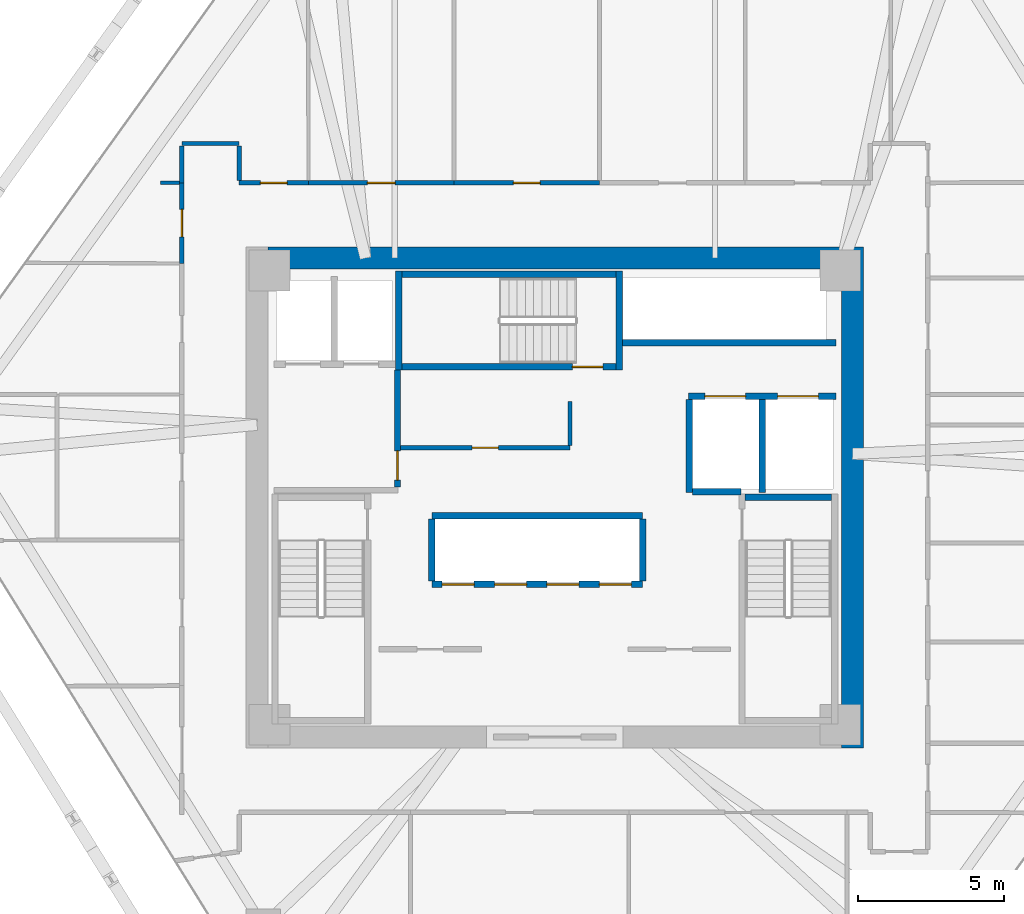
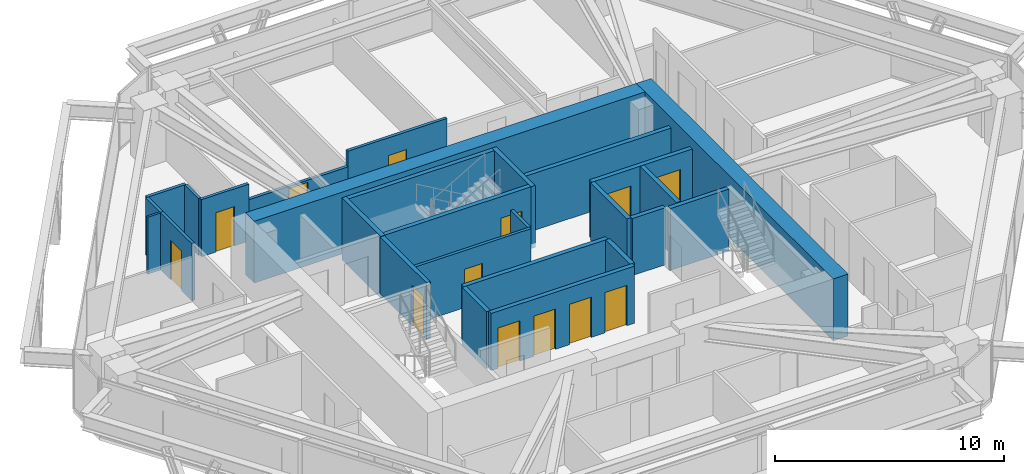
# One storey, part 11 of 14: 27 walls, 13 doors, 13 openings.
"""IFC4 building model written with IfcOpenShell, lengths in metres."""

from ifc_helpers import new_model, si_unit, direction, frame, frame_2d, origin, place, context, subcontext, project, spatial, rectangle, extrude, source, transform, mapped, material, layer, layer_set, type_object, type_shapes, element, fill, save


model = new_model("IFC4")

# Units and contexts
model_context = context("Model", 3, precision=1e-05, world=origin(), true_north=direction((0.0, 1.0)))
body_context = subcontext(model_context, "Body", "Model", "MODEL_VIEW")
ifc_project = project(units=[si_unit("LENGTHUNIT", "METRE"), si_unit("AREAUNIT", "SQUARE_METRE"), si_unit("VOLUMEUNIT", "CUBIC_METRE"), si_unit("PLANEANGLEUNIT", "RADIAN"), si_unit("MASSUNIT", "GRAM", prefix="KILO")], contexts=[model_context])

# Site, building, storey
site_placement = place(None, origin())
site = spatial("IfcSite", under=ifc_project, at=site_placement, CompositionType="ELEMENT")
building_placement = place(site_placement, origin())
building = spatial("IfcBuilding", under=site, at=building_placement, Name="Durnholm Broadcast Tower", CompositionType="ELEMENT")
storey_placement = place(building_placement, frame((0.0, 0.0, 127.199951171875)))
storey = spatial("IfcBuildingStorey", under=building, at=storey_placement, Name="L34", CompositionType="ELEMENT", Elevation=127.199951171875)

# Walls
ifc_material_1 = material(Name="Concrete C70/85", Category="concrete")
ifc_layer_1 = layer(ifc_material_1, 0.75)
ifc_layer_set_1 = layer_set([ifc_layer_1], Name="Concrete C70/85")
wall_type_1 = type_object("IfcWallType", Name="WALL-CW-750", PredefinedType="SHEAR", material=ifc_layer_set_1)
wall_1_placement = place(storey_placement, frame((10.22509765625, -8.60009765625, 0.0), z_axis=(0.0, 0.0, 1.0), x_axis=(0.0, 1.0, 0.0)))
element("IfcWall", 1, at=wall_1_placement, inside=storey, type_object=wall_type_1, Name="L34 central core shear wall CW-EAST", PredefinedType="SHEAR", context=body_context, shape_type="SweptSolid", body=[
    extrude(rectangle(XDim=17.2001953125, YDim=0.75, at=frame_2d((8.60009765625, 0.0))), origin(), (0.0, 0.0, 1.0), 3.300048828125),
])
wall_2_placement = place(storey_placement, frame((-9.85009765625, 8.22509765625, 0.0), z_axis=(0.0, 0.0, 1.0), x_axis=(1.0, 0.0, 0.0)))
element("IfcWall", 2, at=wall_2_placement, inside=storey, type_object=wall_type_1, Name="L34 central core shear wall CW-N", PredefinedType="SHEAR", context=body_context, shape_type="SweptSolid", body=[
    extrude(rectangle(XDim=19.7001953125, YDim=0.75, at=frame_2d((9.85009765625, 0.0))), origin(), (0.0, 0.0, 1.0), 3.300048828125),
])

# Wall, opening, door
ifc_material_2 = material(Name="Fire-Rated Gypsum Shaftwall", Category="concrete")
ifc_layer_2 = layer(ifc_material_2, 0.199951171875)
ifc_layer_set_2 = layer_set([ifc_layer_2], Name="Fire-Rated Gypsum Shaftwall")
wall_type_2 = type_object("IfcWallType", Name="WALL-LOB-200", PredefinedType="SOLIDWALL", material=ifc_layer_set_2)
wall_3_placement = place(storey_placement, frame((-5.39990234375, 0.35400390625, 0.0), z_axis=(0.0, 0.0, 1.0), x_axis=(0.0, 1.0, 0.0)))
wall_3 = element("IfcWall", 3, at=wall_3_placement, inside=storey, type_object=wall_type_2, Name="L34 Fire Service Access Elevator lobby east fire wall", PredefinedType="SOLIDWALL", context=body_context, shape_type="SweptSolid", body=[
    extrude(rectangle(XDim=4.02587890625, YDim=0.199951171875, at=frame_2d((2.012939453125, 0.0))), origin(), (0.0, 0.0, 1.0), 3.045166015625),
])
opening_1_placement = place(wall_3_placement, frame((0.24609375, 0.0, 0.0)))
opening_1 = element("IfcOpeningElement", 4, at=opening_1_placement, cuts=wall_3, Name="Opening DL-60L", PredefinedType="OPENING", context=body_context, shape_type="SweptSolid", body=[
    extrude(rectangle(XDim=1.0, YDim=2.14990234375, at=frame_2d((0.5, 1.074951171875))), frame((0.0, 0.10986328125, 0.0), z_axis=(0.0, -1.0, 0.0), x_axis=(1.0, 0.0, 0.0)), (0.0, 0.0, 1.0), 0.219970703125),
])
ifc_material_3 = material(Name="Fire-Rated Timber/Steel Door", Category="steel")
ifc_layer_3 = layer(ifc_material_3, 0.050048828125)
ifc_layer_set_3 = layer_set([ifc_layer_3], Name="Fire-Rated Timber/Steel Door")
door_type_1 = type_object("IfcDoorType", Name="DOOR-LOB-FD60-L", OperationType="NOTDEFINED", PredefinedType="DOOR", material=ifc_layer_set_3)
shared_shape_1 = source(origin(), body_context, "Body", "SweptSolid", [
    extrude(rectangle(XDim=1.0, YDim=2.14990234375, at=frame_2d((0.5, 1.074951171875))), frame((0.0, 0.02490234375, 0.0), z_axis=(0.0, -1.0, 0.0), x_axis=(1.0, 0.0, 0.0)), (0.0, 0.0, 1.0), 0.050048828125),
])
type_shapes(door_type_1, [shared_shape_1])
door_1_placement = place(opening_1_placement, origin())
door_1 = element("IfcDoor", 5, at=door_1_placement, inside=storey, type_object=door_type_1, Name="L34 Fire Service Access Elevator lobby smoke door", OperationType="SINGLE_SWING_LEFT", OverallHeight=2.14990234375, OverallWidth=1.0, PredefinedType="DOOR", context=body_context, shape_type="MappedRepresentation", body=[
    mapped(shared_shape_1, transform((0.0, 0.0, 0.0), x_axis=(1.0, 0.0, 0.0), y_axis=(0.0, 1.0, 0.0), z_axis=(0.0, 0.0, 1.0), scale=1.0)),
])
fill(opening_1, door_1)

# Wall
ifc_material_4 = material(Name="Operable Acoustic Panel Partition", Category="aluminium")
ifc_layer_4 = layer(ifc_material_4, 0.110107421875)
ifc_layer_set_4 = layer_set([ifc_layer_4], Name="Operable Acoustic Panel Partition")
wall_type_3 = type_object("IfcWallType", Name="WALL-MOV-110", PredefinedType="MOVABLE", material=ifc_layer_set_4)
wall_4_placement = place(storey_placement, frame((-12.888916015625, 10.81005859375, 0.0), z_axis=(0.0, 0.0, 1.0), x_axis=(-1.0, 0.0, 0.0)))
element("IfcWall", 6, at=wall_4_placement, inside=storey, type_object=wall_type_3, Name="L34 room dividing partition 7.22", PredefinedType="MOVABLE", context=body_context, shape_type="SweptSolid", body=[
    extrude(rectangle(XDim=0.651123046875, YDim=0.110107421875, at=frame_2d((0.32568359375, 0.0))), origin(), (0.0, 0.0, 1.0), 3.045166015625),
])

# Wall, opening, door
ifc_material_5 = material(Name="Acoustic Gypsum Stud Partition", Category="concrete")
ifc_layer_5 = layer(ifc_material_5, 0.14990234375)
ifc_layer_set_5 = layer_set([ifc_layer_5], Name="Acoustic Gypsum Stud Partition")
wall_type_4 = type_object("IfcWallType", Name="WALL-PART-150", PredefinedType="PARTITIONING", material=ifc_layer_set_5)
wall_5_placement = place(storey_placement, frame((0.52001953125, 1.7099609375, 0.0), z_axis=(0.0, 0.0, 1.0), x_axis=(-1.0, 0.0, 0.0)))
wall_5 = element("IfcWall", 7, at=wall_5_placement, inside=storey, type_object=wall_type_4, Name="L34 Core Housekeeping Room corridor partition", PredefinedType="PARTITIONING", context=body_context, shape_type="SweptSolid", body=[
    extrude(rectangle(XDim=5.81591796875, YDim=0.14990234375, at=frame_2d((2.907958984375, 0.0))), origin(), (0.0, 0.0, 1.0), 3.045166015625),
])
opening_2_placement = place(wall_5_placement, frame((2.4580078125, 0.0, 0.0)))
opening_2 = element("IfcOpeningElement", 8, at=opening_2_placement, cuts=wall_5, Name="Opening DC-60R", PredefinedType="OPENING", context=body_context, shape_type="SweptSolid", body=[
    extrude(rectangle(XDim=0.89990234375, YDim=2.050048828125, at=frame_2d((0.449951171875, 1.02490234375))), frame((0.0, 0.0849609375, 0.0), z_axis=(0.0, -1.0, 0.0), x_axis=(1.0, 0.0, 0.0)), (0.0, 0.0, 1.0), 0.169921875),
])
ifc_material_6 = material(Name="Fire-Rated Core Service Door", Category="steel")
ifc_layer_6 = layer(ifc_material_6, 0.050048828125)
ifc_layer_set_6 = layer_set([ifc_layer_6], Name="Fire-Rated Core Service Door")
door_type_2 = type_object("IfcDoorType", Name="DOOR-CORE-FD60-R", OperationType="NOTDEFINED", PredefinedType="DOOR", material=ifc_layer_set_6)
shared_shape_2 = source(origin(), body_context, "Body", "SweptSolid", [
    extrude(rectangle(XDim=0.89990234375, YDim=2.050048828125, at=frame_2d((0.449951171875, 1.02490234375))), frame((0.0, 0.02490234375, 0.0), z_axis=(0.0, -1.0, 0.0), x_axis=(1.0, 0.0, 0.0)), (0.0, 0.0, 1.0), 0.050048828125),
])
type_shapes(door_type_2, [shared_shape_2])
door_2_placement = place(opening_2_placement, origin())
door_2 = element("IfcDoor", 9, at=door_2_placement, inside=storey, type_object=door_type_2, Name="L34 Core Housekeeping Room entrance door", OperationType="SINGLE_SWING_RIGHT", OverallHeight=2.050048828125, OverallWidth=0.89990234375, PredefinedType="DOOR", context=body_context, shape_type="MappedRepresentation", body=[
    mapped(shared_shape_2, transform((0.0, 0.0, 0.0), x_axis=(1.0, 0.0, 0.0), y_axis=(0.0, 1.0, 0.0), z_axis=(0.0, 0.0, 1.0), scale=1.0)),
])
fill(opening_2, door_2)

# Wall
wall_6_placement = place(storey_placement, frame((0.52001953125, 3.300048828125, 0.0), z_axis=(0.0, 0.0, 1.0), x_axis=(0.0, -1.0, 0.0)))
element("IfcWall", 10, at=wall_6_placement, inside=storey, type_object=wall_type_4, Name="L34 Core Housekeeping Room corridor partition", PredefinedType="PARTITIONING", context=body_context, shape_type="SweptSolid", body=[
    extrude(rectangle(XDim=1.510986328125, YDim=0.14990234375, at=frame_2d((0.75537109375, 0.0))), origin(), (0.0, 0.0, 1.0), 3.045166015625),
])

# Wall, opening, door
wall_7_placement = place(storey_placement, frame((-8.4599609375, 10.81005859375, 0.0), z_axis=(0.0, 0.0, 1.0), x_axis=(-1.0, 0.0, 0.0)))
wall_7 = element("IfcWall", 11, at=wall_7_placement, inside=storey, type_object=wall_type_4, Name="L34 Radio Broadcast Hall corridor partition", PredefinedType="PARTITIONING", context=body_context, shape_type="SweptSolid", body=[
    extrude(rectangle(XDim=2.380126953125, YDim=0.14990234375, at=frame_2d((1.18994140625, 0.0))), origin(), (0.0, 0.0, 1.0), 3.045166015625),
])
opening_3_placement = place(wall_7_placement, frame((0.72998046875, 0.0, 0.0)))
opening_3 = element("IfcOpeningElement", 12, at=opening_3_placement, cuts=wall_7, Name="Opening DR-92R", PredefinedType="OPENING", context=body_context, shape_type="SweptSolid", body=[
    extrude(rectangle(XDim=0.919921875, YDim=2.10009765625, at=frame_2d((0.4599609375, 1.050048828125))), frame((0.0, 0.0849609375, 0.0), z_axis=(0.0, -1.0, 0.0), x_axis=(1.0, 0.0, 0.0)), (0.0, 0.0, 1.0), 0.169921875),
])
ifc_material_7 = material(Name="Oak Veneer Office Door", Category="wood")
ifc_layer_7 = layer(ifc_material_7, 0.050048828125)
ifc_layer_set_7 = layer_set([ifc_layer_7], Name="Oak Veneer Office Door")
door_type_3 = type_object("IfcDoorType", Name="DOOR-RM-920R", OperationType="NOTDEFINED", PredefinedType="DOOR", material=ifc_layer_set_7)
shared_shape_3 = source(origin(), body_context, "Body", "SweptSolid", [
    extrude(rectangle(XDim=0.919921875, YDim=2.10009765625, at=frame_2d((0.4599609375, 1.050048828125))), frame((0.0, 0.02490234375, 0.0), z_axis=(0.0, -1.0, 0.0), x_axis=(1.0, 0.0, 0.0)), (0.0, 0.0, 1.0), 0.050048828125),
])
type_shapes(door_type_3, [shared_shape_3])
door_3_placement = place(opening_3_placement, origin())
door_3 = element("IfcDoor", 13, at=door_3_placement, inside=storey, type_object=door_type_3, Name="L34 Radio Broadcast Hall entrance door", OperationType="SINGLE_SWING_RIGHT", OverallHeight=2.10009765625, OverallWidth=0.919921875, PredefinedType="DOOR", context=body_context, shape_type="MappedRepresentation", body=[
    mapped(shared_shape_3, transform((0.0, 0.0, 0.0), x_axis=(1.0, 0.0, 0.0), y_axis=(0.0, 1.0, 0.0), z_axis=(0.0, 0.0, 1.0), scale=1.0)),
])
fill(opening_3, door_3)

# Walls
wall_8_placement = place(storey_placement, frame((-10.840087890625, 12.159912109375, 0.0), z_axis=(0.0, 0.0, 1.0), x_axis=(-1.0, 0.0, 0.0)))
element("IfcWall", 14, at=wall_8_placement, inside=storey, type_object=wall_type_4, Name="L34 Radio Broadcast Hall corridor partition", PredefinedType="PARTITIONING", context=body_context, shape_type="SweptSolid", body=[
    extrude(rectangle(XDim=1.969970703125, YDim=0.14990234375, at=frame_2d((0.98486328125, 0.0))), origin(), (0.0, 0.0, 1.0), 3.045166015625),
])
wall_9_placement = place(storey_placement, frame((-10.840087890625, 10.888916015625, 0.0), z_axis=(0.0, 0.0, 1.0), x_axis=(0.0, 1.0, 0.0)))
element("IfcWall", 15, at=wall_9_placement, inside=storey, type_object=wall_type_4, Name="L34 Radio Broadcast Hall corridor partition", PredefinedType="PARTITIONING", context=body_context, shape_type="SweptSolid", body=[
    extrude(rectangle(XDim=1.192138671875, YDim=0.14990234375, at=frame_2d((0.59619140625, 0.0))), origin(), (0.0, 0.0, 1.0), 3.045166015625),
])
wall_10_placement = place(storey_placement, frame((-12.81005859375, 12.0810546875, 0.0), z_axis=(0.0, 0.0, 1.0), x_axis=(0.0, -1.0, 0.0)))
element("IfcWall", 16, at=wall_10_placement, inside=storey, type_object=wall_type_4, Name="L34 Radio Broadcast Hall corridor partition", PredefinedType="PARTITIONING", context=body_context, shape_type="SweptSolid", body=[
    extrude(rectangle(XDim=1.27099609375, YDim=0.14990234375, at=frame_2d((0.635498046875, 0.0))), origin(), (0.0, 0.0, 1.0), 3.045166015625),
])

# Wall, opening, door
wall_11_placement = place(storey_placement, frame((-3.4599609375, 10.81005859375, 0.0), z_axis=(0.0, 0.0, 1.0), x_axis=(-1.0, 0.0, 0.0)))
wall_11 = element("IfcWall", 17, at=wall_11_placement, inside=storey, type_object=wall_type_4, Name="L34 Mastering Screening Auditorium corridor partition", PredefinedType="PARTITIONING", context=body_context, shape_type="SweptSolid", body=[
    extrude(rectangle(XDim=5.0, YDim=0.14990234375, at=frame_2d((2.5, 0.0))), origin(), (0.0, 0.0, 1.0), 2.212158203125),
])
opening_4_placement = place(wall_11_placement, frame((2.02490234375, 0.0, 0.0)))
opening_4 = element("IfcOpeningElement", 18, at=opening_4_placement, cuts=wall_11, Name="Opening DR-95L", PredefinedType="OPENING", context=body_context, shape_type="SweptSolid", body=[
    extrude(rectangle(XDim=0.949951171875, YDim=2.10009765625, at=frame_2d((0.47509765625, 1.050048828125))), frame((0.0, 0.0849609375, 0.0), z_axis=(0.0, -1.0, 0.0), x_axis=(1.0, 0.0, 0.0)), (0.0, 0.0, 1.0), 0.169921875),
])
ifc_material_8 = material(Name="Acoustic Oak Veneer Timber Door", Category="wood")
ifc_layer_8 = layer(ifc_material_8, 0.050048828125)
ifc_layer_set_8 = layer_set([ifc_layer_8], Name="Acoustic Oak Veneer Timber Door")
door_type_4 = type_object("IfcDoorType", Name="DOOR-RM-950L", OperationType="NOTDEFINED", PredefinedType="DOOR", material=ifc_layer_set_8)
shared_shape_4 = source(origin(), body_context, "Body", "SweptSolid", [
    extrude(rectangle(XDim=0.949951171875, YDim=2.10009765625, at=frame_2d((0.47509765625, 1.050048828125))), frame((0.0, 0.02490234375, 0.0), z_axis=(0.0, -1.0, 0.0), x_axis=(1.0, 0.0, 0.0)), (0.0, 0.0, 1.0), 0.050048828125),
])
type_shapes(door_type_4, [shared_shape_4])
door_4_placement = place(opening_4_placement, origin())
door_4 = element("IfcDoor", 19, at=door_4_placement, inside=storey, type_object=door_type_4, Name="L34 Mastering Screening Auditorium entrance door", OperationType="SINGLE_SWING_LEFT", OverallHeight=2.10009765625, OverallWidth=0.949951171875, PredefinedType="DOOR", context=body_context, shape_type="MappedRepresentation", body=[
    mapped(shared_shape_4, transform((0.0, 0.0, 0.0), x_axis=(1.0, 0.0, 0.0), y_axis=(0.0, 1.0, 0.0), z_axis=(0.0, 0.0, 1.0), scale=1.0)),
])
fill(opening_4, door_4)

wall_12_placement = place(storey_placement, frame((1.5400390625, 10.81005859375, 0.0), z_axis=(0.0, 0.0, 1.0), x_axis=(-1.0, 0.0, 0.0)))
wall_12 = element("IfcWall", 20, at=wall_12_placement, inside=storey, type_object=wall_type_4, Name="L34 Podcast Dining Room corridor partition", PredefinedType="PARTITIONING", context=body_context, shape_type="SweptSolid", body=[
    extrude(rectangle(XDim=5.0, YDim=0.14990234375, at=frame_2d((2.5, 0.0))), origin(), (0.0, 0.0, 1.0), 3.045166015625),
])
opening_5_placement = place(wall_12_placement, frame((2.0400390625, 0.0, 0.0)))
opening_5 = element("IfcOpeningElement", 21, at=opening_5_placement, cuts=wall_12, Name="Opening DR-92R", PredefinedType="OPENING", context=body_context, shape_type="SweptSolid", body=[
    extrude(rectangle(XDim=0.919921875, YDim=2.10009765625, at=frame_2d((0.4599609375, 1.050048828125))), frame((0.0, 0.0849609375, 0.0), z_axis=(0.0, -1.0, 0.0), x_axis=(1.0, 0.0, 0.0)), (0.0, 0.0, 1.0), 0.169921875),
])
door_5_placement = place(opening_5_placement, origin())
door_5 = element("IfcDoor", 22, at=door_5_placement, inside=storey, type_object=door_type_3, Name="L34 Podcast Dining Room entrance door", OperationType="SINGLE_SWING_RIGHT", OverallHeight=2.10009765625, OverallWidth=0.919921875, PredefinedType="DOOR", context=body_context, shape_type="MappedRepresentation", body=[
    mapped(shared_shape_3, transform((0.0, 0.0, 0.0), x_axis=(1.0, 0.0, 0.0), y_axis=(0.0, 1.0, 0.0), z_axis=(0.0, 0.0, 1.0), scale=1.0)),
])
fill(opening_5, door_5)

wall_13_placement = place(storey_placement, frame((-12.81005859375, 10.81005859375, 0.0), z_axis=(0.0, 0.0, 1.0), x_axis=(0.0, -1.0, 0.0)))
wall_13 = element("IfcWall", 23, at=wall_13_placement, inside=storey, type_object=wall_type_4, Name="L34 Broadcast Kitchen corridor partition", PredefinedType="PARTITIONING", context=body_context, shape_type="SweptSolid", body=[
    extrude(rectangle(XDim=2.77001953125, YDim=0.14990234375, at=frame_2d((1.385009765625, 0.0))), origin(), (0.0, 0.0, 1.0), 3.045166015625),
])
opening_6_placement = place(wall_13_placement, frame((0.909912109375, 0.0, 0.0)))
opening_6 = element("IfcOpeningElement", 24, at=opening_6_placement, cuts=wall_13, Name="Opening DR-95R", PredefinedType="OPENING", context=body_context, shape_type="SweptSolid", body=[
    extrude(rectangle(XDim=0.949951171875, YDim=2.10009765625, at=frame_2d((0.47509765625, 1.050048828125))), frame((0.0, 0.0849609375, 0.0), z_axis=(0.0, -1.0, 0.0), x_axis=(1.0, 0.0, 0.0)), (0.0, 0.0, 1.0), 0.169921875),
])
ifc_layer_9 = layer(ifc_material_8, 0.050048828125)
ifc_layer_set_9 = layer_set([ifc_layer_9], Name="Acoustic Oak Veneer Timber Door")
door_type_5 = type_object("IfcDoorType", Name="DOOR-RM-950R", OperationType="NOTDEFINED", PredefinedType="DOOR", material=ifc_layer_set_9)
shared_shape_5 = source(origin(), body_context, "Body", "SweptSolid", [
    extrude(rectangle(XDim=0.949951171875, YDim=2.10009765625, at=frame_2d((0.47509765625, 1.050048828125))), frame((0.0, 0.02490234375, 0.0), z_axis=(0.0, -1.0, 0.0), x_axis=(1.0, 0.0, 0.0)), (0.0, 0.0, 1.0), 0.050048828125),
])
type_shapes(door_type_5, [shared_shape_5])
door_6_placement = place(opening_6_placement, origin())
door_6 = element("IfcDoor", 25, at=door_6_placement, inside=storey, type_object=door_type_5, Name="L34 Broadcast Kitchen entrance door", OperationType="SINGLE_SWING_RIGHT", OverallHeight=2.10009765625, OverallWidth=0.949951171875, PredefinedType="DOOR", context=body_context, shape_type="MappedRepresentation", body=[
    mapped(shared_shape_5, transform((0.0, 0.0, 0.0), x_axis=(1.0, 0.0, 0.0), y_axis=(0.0, 1.0, 0.0), z_axis=(0.0, 0.0, 1.0), scale=1.0)),
])
fill(opening_6, door_6)

# Wall, openings, doors
ifc_material_9 = material(Name="Concrete Blockwork C30/37", Category="masonry")
ifc_layer_10 = layer(ifc_material_9, 0.219970703125)
ifc_layer_set_10 = layer_set([ifc_layer_10], Name="Concrete Blockwork C30/37")
wall_type_5 = type_object("IfcWallType", Name="WALL-SHAFT-220", PredefinedType="SOLIDWALL", material=ifc_layer_set_10)
wall_14_placement = place(storey_placement, frame((4.60009765625, 3.47998046875, 0.0), z_axis=(0.0, 0.0, 1.0), x_axis=(1.0, 0.0, 0.0)))
wall_14 = element("IfcWall", 26, at=wall_14_placement, inside=storey, type_object=wall_type_5, Name="L34 freight service lifts north front wall", PredefinedType="SOLIDWALL", context=body_context, shape_type="SweptSolid", body=[
    extrude(rectangle(XDim=5.0498046875, YDim=0.219970703125, at=frame_2d((2.52490234375, 0.0))), origin(), (0.0, 0.0, 1.0), 3.045166015625),
])
opening_7_placement = place(wall_14_placement, frame((0.550048828125, 0.0, 0.0)))
opening_7 = element("IfcOpeningElement", 27, at=opening_7_placement, cuts=wall_14, Name="Opening LD-SVL-2", PredefinedType="OPENING", context=body_context, shape_type="SweptSolid", body=[
    extrude(rectangle(XDim=1.39990234375, YDim=2.14990234375, at=frame_2d((0.699951171875, 1.074951171875))), frame((0.0, 0.1201171875, 0.0), z_axis=(0.0, -1.0, 0.0), x_axis=(1.0, 0.0, 0.0)), (0.0, 0.0, 1.0), 0.239990234375),
])
opening_8_placement = place(wall_14_placement, frame((3.050048828125, 0.0, 0.0)))
opening_8 = element("IfcOpeningElement", 28, at=opening_8_placement, cuts=wall_14, Name="Opening LD-SVL-1", PredefinedType="OPENING", context=body_context, shape_type="SweptSolid", body=[
    extrude(rectangle(XDim=1.39990234375, YDim=2.14990234375, at=frame_2d((0.699951171875, 1.074951171875))), frame((0.0, 0.1201171875, 0.0), z_axis=(0.0, -1.0, 0.0), x_axis=(1.0, 0.0, 0.0)), (0.0, 0.0, 1.0), 0.239990234375),
])
ifc_material_10 = material(Name="Freight Elevator Bi-Parting Sliding Landing Door", Category="steel")
ifc_layer_11 = layer(ifc_material_10, 0.050048828125)
ifc_layer_set_11 = layer_set([ifc_layer_11], Name="Freight Elevator Bi-Parting Sliding Landing Door")
door_type_6 = type_object("IfcDoorType", Name="DOOR-LIFT-SVL", OperationType="DOUBLE_DOOR_SLIDING", PredefinedType="DOOR", material=ifc_layer_set_11)
shared_shape_6 = source(origin(), body_context, "Body", "SweptSolid", [
    extrude(rectangle(XDim=1.39990234375, YDim=2.14990234375, at=frame_2d((0.699951171875, 1.074951171875))), frame((0.0, 0.02490234375, 0.0), z_axis=(0.0, -1.0, 0.0), x_axis=(1.0, 0.0, 0.0)), (0.0, 0.0, 1.0), 0.050048828125),
])
type_shapes(door_type_6, [shared_shape_6])
door_7_placement = place(opening_7_placement, origin())
door_7 = element("IfcDoor", 29, at=door_7_placement, inside=storey, type_object=door_type_6, Name="L34 freight service elevator SVL-2 sliding landing door", OperationType="DOUBLE_DOOR_SLIDING", OverallHeight=2.14990234375, OverallWidth=1.39990234375, PredefinedType="DOOR", context=body_context, shape_type="MappedRepresentation", body=[
    mapped(shared_shape_6, transform((0.0, 0.0, 0.0), x_axis=(1.0, 0.0, 0.0), y_axis=(0.0, 1.0, 0.0), z_axis=(0.0, 0.0, 1.0), scale=1.0)),
])
fill(opening_7, door_7)
door_8_placement = place(opening_8_placement, origin())
door_8 = element("IfcDoor", 30, at=door_8_placement, inside=storey, type_object=door_type_6, Name="L34 freight service elevator SVL-1 sliding landing door", OperationType="DOUBLE_DOOR_SLIDING", OverallHeight=2.14990234375, OverallWidth=1.39990234375, PredefinedType="DOOR", context=body_context, shape_type="MappedRepresentation", body=[
    mapped(shared_shape_6, transform((0.0, 0.0, 0.0), x_axis=(1.0, 0.0, 0.0), y_axis=(0.0, 1.0, 0.0), z_axis=(0.0, 0.0, 1.0), scale=1.0)),
])
fill(opening_8, door_8)

# Walls
for number, where, z_axis, x_axis, name in (
    (31, (4.6201171875, 0.179931640625, 0.0), (0.0, 0.0, 1.0), (0.0, 1.0, 0.0), "L34 freight service lift SVL-2 west wall"),
    (32, (7.1201171875, 0.179931640625, 0.0), (0.0, 0.0, 1.0), (0.0, 1.0, 0.0), "L34 freight service lifts divider wall"),
):
    element("IfcWall", number, at=place(storey_placement, frame(where, z_axis=z_axis, x_axis=x_axis)), inside=storey, type_object=wall_type_5, Name=name, PredefinedType="SOLIDWALL", context=body_context, shape_type="SweptSolid", body=[
        extrude(rectangle(XDim=3.18603515625, YDim=0.219970703125, at=frame_2d((1.593017578125, 0.0))), origin(), (0.0, 0.0, 1.0), 3.045166015625),
    ])
wall_15_placement = place(storey_placement, frame((4.73388671875, 0.199951171875, 0.0), z_axis=(0.0, 0.0, 1.0), x_axis=(1.0, 0.0, 0.0)))
element("IfcWall", 33, at=wall_15_placement, inside=storey, type_object=wall_type_5, Name="L34 freight service lift SVL-2 south wall", PredefinedType="SOLIDWALL", context=body_context, shape_type="SweptSolid", body=[
    extrude(rectangle(XDim=1.666015625, YDim=0.219970703125, at=frame_2d((0.8330078125, 0.0))), origin(), (0.0, 0.0, 1.0), 3.045166015625),
])

# Wall, openings, doors
wall_16_placement = place(storey_placement, frame((-4.219970703125, -2.97998046875, 0.0), z_axis=(0.0, 0.0, 1.0), x_axis=(1.0, 0.0, 0.0)))
wall_16 = element("IfcWall", 34, at=wall_16_placement, inside=storey, type_object=wall_type_5, Name="L34 mid-rise bank P2 south front wall", PredefinedType="SOLIDWALL", context=body_context, shape_type="SweptSolid", body=[
    extrude(rectangle(XDim=7.239990234375, YDim=0.219970703125, at=frame_2d((3.6201171875, 0.0))), origin(), (0.0, 0.0, 1.0), 3.045166015625),
])
opening_9_placement = place(wall_16_placement, frame((0.35009765625, 0.0, 0.0)))
opening_9 = element("IfcOpeningElement", 35, at=opening_9_placement, cuts=wall_16, Name="Opening LD-LP2-1", PredefinedType="OPENING", context=body_context, shape_type="SweptSolid", body=[
    extrude(rectangle(XDim=1.10009765625, YDim=2.14990234375, at=frame_2d((0.550048828125, 1.074951171875))), frame((0.0, 0.1201171875, 0.0), z_axis=(0.0, -1.0, 0.0), x_axis=(1.0, 0.0, 0.0)), (0.0, 0.0, 1.0), 0.239990234375),
])
opening_10_placement = place(wall_16_placement, frame((2.14990234375, 0.0, 0.0)))
opening_10 = element("IfcOpeningElement", 36, at=opening_10_placement, cuts=wall_16, Name="Opening LD-LP2-2", PredefinedType="OPENING", context=body_context, shape_type="SweptSolid", body=[
    extrude(rectangle(XDim=1.10009765625, YDim=2.14990234375, at=frame_2d((0.550048828125, 1.074951171875))), frame((0.0, 0.1201171875, 0.0), z_axis=(0.0, -1.0, 0.0), x_axis=(1.0, 0.0, 0.0)), (0.0, 0.0, 1.0), 0.239990234375),
])
opening_11_placement = place(wall_16_placement, frame((3.949951171875, 0.0, 0.0)))
opening_11 = element("IfcOpeningElement", 37, at=opening_11_placement, cuts=wall_16, Name="Opening LD-LP2-3", PredefinedType="OPENING", context=body_context, shape_type="SweptSolid", body=[
    extrude(rectangle(XDim=1.10009765625, YDim=2.14990234375, at=frame_2d((0.550048828125, 1.074951171875))), frame((0.0, 0.1201171875, 0.0), z_axis=(0.0, -1.0, 0.0), x_axis=(1.0, 0.0, 0.0)), (0.0, 0.0, 1.0), 0.239990234375),
])
opening_12_placement = place(wall_16_placement, frame((5.75, 0.0, 0.0)))
opening_12 = element("IfcOpeningElement", 38, at=opening_12_placement, cuts=wall_16, Name="Opening LD-LP2-4", PredefinedType="OPENING", context=body_context, shape_type="SweptSolid", body=[
    extrude(rectangle(XDim=1.10009765625, YDim=2.14990234375, at=frame_2d((0.550048828125, 1.074951171875))), frame((0.0, 0.1201171875, 0.0), z_axis=(0.0, -1.0, 0.0), x_axis=(1.0, 0.0, 0.0)), (0.0, 0.0, 1.0), 0.239990234375),
])
ifc_material_11 = material(Name="Stainless Steel Sliding Elevator Landing Door", Category="steel")
ifc_layer_12 = layer(ifc_material_11, 0.050048828125)
ifc_layer_set_12 = layer_set([ifc_layer_12], Name="Stainless Steel Sliding Elevator Landing Door")
door_type_7 = type_object("IfcDoorType", Name="DOOR-LIFT-PAX", OperationType="DOUBLE_DOOR_SLIDING", PredefinedType="DOOR", material=ifc_layer_set_12)
shared_shape_7 = source(origin(), body_context, "Body", "SweptSolid", [
    extrude(rectangle(XDim=1.10009765625, YDim=2.14990234375, at=frame_2d((0.550048828125, 1.074951171875))), frame((0.0, 0.02490234375, 0.0), z_axis=(0.0, -1.0, 0.0), x_axis=(1.0, 0.0, 0.0)), (0.0, 0.0, 1.0), 0.050048828125),
])
type_shapes(door_type_7, [shared_shape_7])
door_9_placement = place(opening_9_placement, origin())
door_9 = element("IfcDoor", 39, at=door_9_placement, inside=storey, type_object=door_type_7, Name="L34 passenger elevator LP2-1 sliding landing door", OperationType="DOUBLE_DOOR_SLIDING", OverallHeight=2.14990234375, OverallWidth=1.10009765625, PredefinedType="DOOR", context=body_context, shape_type="MappedRepresentation", body=[
    mapped(shared_shape_7, transform((0.0, 0.0, 0.0), x_axis=(1.0, 0.0, 0.0), y_axis=(0.0, 1.0, 0.0), z_axis=(0.0, 0.0, 1.0), scale=1.0)),
])
fill(opening_9, door_9)
door_10_placement = place(opening_10_placement, origin())
door_10 = element("IfcDoor", 40, at=door_10_placement, inside=storey, type_object=door_type_7, Name="L34 passenger elevator LP2-2 sliding landing door", OperationType="DOUBLE_DOOR_SLIDING", OverallHeight=2.14990234375, OverallWidth=1.10009765625, PredefinedType="DOOR", context=body_context, shape_type="MappedRepresentation", body=[
    mapped(shared_shape_7, transform((0.0, 0.0, 0.0), x_axis=(1.0, 0.0, 0.0), y_axis=(0.0, 1.0, 0.0), z_axis=(0.0, 0.0, 1.0), scale=1.0)),
])
fill(opening_10, door_10)
door_11_placement = place(opening_11_placement, origin())
door_11 = element("IfcDoor", 41, at=door_11_placement, inside=storey, type_object=door_type_7, Name="L34 passenger elevator LP2-3 sliding landing door", OperationType="DOUBLE_DOOR_SLIDING", OverallHeight=2.14990234375, OverallWidth=1.10009765625, PredefinedType="DOOR", context=body_context, shape_type="MappedRepresentation", body=[
    mapped(shared_shape_7, transform((0.0, 0.0, 0.0), x_axis=(1.0, 0.0, 0.0), y_axis=(0.0, 1.0, 0.0), z_axis=(0.0, 0.0, 1.0), scale=1.0)),
])
fill(opening_11, door_11)
door_12_placement = place(opening_12_placement, origin())
door_12 = element("IfcDoor", 42, at=door_12_placement, inside=storey, type_object=door_type_7, Name="L34 passenger elevator LP2-4 sliding landing door", OperationType="DOUBLE_DOOR_SLIDING", OverallHeight=2.14990234375, OverallWidth=1.10009765625, PredefinedType="DOOR", context=body_context, shape_type="MappedRepresentation", body=[
    mapped(shared_shape_7, transform((0.0, 0.0, 0.0), x_axis=(1.0, 0.0, 0.0), y_axis=(0.0, 1.0, 0.0), z_axis=(0.0, 0.0, 1.0), scale=1.0)),
])
fill(opening_12, door_12)

# Walls
wall_17_placement = place(storey_placement, frame((-4.219970703125, -0.6201171875, 0.0), z_axis=(0.0, 0.0, 1.0), x_axis=(1.0, 0.0, 0.0)))
element("IfcWall", 43, at=wall_17_placement, inside=storey, type_object=wall_type_5, Name="L34 mid-rise bank P2 north shaft wall", PredefinedType="SOLIDWALL", context=body_context, shape_type="SweptSolid", body=[
    extrude(rectangle(XDim=7.239990234375, YDim=0.219970703125, at=frame_2d((3.6201171875, 0.0))), origin(), (0.0, 0.0, 1.0), 3.045166015625),
])
for number, where, z_axis, x_axis, name in (
    (44, (-4.219970703125, -2.865966796875, 0.0), (0.0, 0.0, 1.0), (0.0, 1.0, 0.0), "L34 mid-rise bank P2 west shaft wall"),
    (45, (3.02001953125, -2.865966796875, 0.0), (0.0, 0.0, 1.0), (0.0, 1.0, 0.0), "L34 mid-rise bank P2 east shaft wall"),
):
    element("IfcWall", number, at=place(storey_placement, frame(where, z_axis=z_axis, x_axis=x_axis)), inside=storey, type_object=wall_type_5, Name=name, PredefinedType="SOLIDWALL", context=body_context, shape_type="SweptSolid", body=[
        extrude(rectangle(XDim=2.132080078125, YDim=0.219970703125, at=frame_2d((1.06591796875, 0.0))), origin(), (0.0, 0.0, 1.0), 3.045166015625),
    ])
wall_18_placement = place(storey_placement, frame((2.324951171875, 5.320068359375, 0.0), z_axis=(0.0, 0.0, 1.0), x_axis=(1.0, 0.0, 0.0)))
element("IfcWall", 46, at=wall_18_placement, inside=storey, type_object=wall_type_5, Name="L34 high-rise bank P3 south front wall", PredefinedType="SOLIDWALL", context=body_context, shape_type="SweptSolid", body=[
    extrude(rectangle(XDim=7.324951171875, YDim=0.219970703125, at=frame_2d((3.66259765625, 0.0))), origin(), (0.0, 0.0, 1.0), 3.045166015625),
])
ifc_material_12 = material(Name="Concrete C50/60", Category="concrete")
ifc_layer_13 = layer(ifc_material_12, 0.219970703125)
ifc_layer_set_13 = layer_set([ifc_layer_13], Name="Concrete C50/60")
wall_type_6 = type_object("IfcWallType", Name="WALL-SW-220", PredefinedType="SHEAR", material=ifc_layer_set_13)
wall_19_placement = place(storey_placement, frame((9.5, 0.010009765625, -0.239990234375), z_axis=(0.0, 0.0, 1.0), x_axis=(-1.0, 0.0, 0.0)))
element("IfcWall", 47, at=wall_19_placement, inside=storey, type_object=wall_type_6, Name="L34 stair ST-2 structural shaft wall N", PredefinedType="SHEAR", context=body_context, shape_type="SweptSolid", body=[
    extrude(rectangle(XDim=2.9599609375, YDim=0.219970703125, at=frame_2d((1.47998046875, 0.0))), origin(), (0.0, 0.0, 1.0), 3.300048828125),
])
for number, where, z_axis, x_axis, name in (
    (48, (2.2099609375, 4.3798828125, -0.239990234375), (0.0, 0.0, 1.0), (0.0, 1.0, 0.0), "L34 stair ST-3 structural shaft wall E"),
    (49, (-5.360107421875, 7.780029296875, -0.239990234375), (0.0, 0.0, 1.0), (0.0, -1.0, 0.0), "L34 stair ST-3 structural shaft wall W"),
):
    element("IfcWall", number, at=place(storey_placement, frame(where, z_axis=z_axis, x_axis=x_axis)), inside=storey, type_object=wall_type_6, Name=name, PredefinedType="SHEAR", context=body_context, shape_type="SweptSolid", body=[
        extrude(rectangle(XDim=3.400146484375, YDim=0.219970703125, at=frame_2d((1.7001953125, 0.0))), origin(), (0.0, 0.0, 1.0), 3.300048828125),
    ])

# Wall, opening, door
wall_20_placement = place(storey_placement, frame((-5.25, 4.489990234375, -0.239990234375), z_axis=(0.0, 0.0, 1.0), x_axis=(1.0, 0.0, 0.0)))
wall_20 = element("IfcWall", 50, at=wall_20_placement, inside=storey, type_object=wall_type_6, Name="L34 stair ST-3 structural shaft wall S", PredefinedType="SHEAR", context=body_context, shape_type="SweptSolid", body=[
    extrude(rectangle(XDim=7.35009765625, YDim=0.219970703125, at=frame_2d((3.675048828125, 0.0))), origin(), (0.0, 0.0, 1.0), 3.300048828125),
])
opening_13_placement = place(wall_20_placement, frame((5.85009765625, 0.0, 0.0)))
opening_13 = element("IfcOpeningElement", 51, at=opening_13_placement, cuts=wall_20, Name="Opening DS-90L", PredefinedType="OPENING", context=body_context, shape_type="SweptSolid", body=[
    extrude(rectangle(XDim=1.050048828125, YDim=2.14990234375, at=frame_2d((0.52490234375, 1.074951171875))), frame((0.0, 0.1201171875, 0.0), z_axis=(0.0, -1.0, 0.0), x_axis=(1.0, 0.0, 0.0)), (0.0, 0.0, 1.0), 0.239990234375),
])
ifc_material_13 = material(Name="Fire-Rated Steel Door", Category="steel")
ifc_layer_14 = layer(ifc_material_13, 0.050048828125)
ifc_layer_set_14 = layer_set([ifc_layer_14], Name="Fire-Rated Steel Door")
door_type_8 = type_object("IfcDoorType", Name="DOOR-ST-FD90-L", OperationType="NOTDEFINED", PredefinedType="DOOR", material=ifc_layer_set_14)
shared_shape_8 = source(origin(), body_context, "Body", "SweptSolid", [
    extrude(rectangle(XDim=1.050048828125, YDim=2.14990234375, at=frame_2d((0.52490234375, 1.074951171875))), frame((0.0, 0.02490234375, 0.0), z_axis=(0.0, -1.0, 0.0), x_axis=(1.0, 0.0, 0.0)), (0.0, 0.0, 1.0), 0.050048828125),
])
type_shapes(door_type_8, [shared_shape_8])
door_13_placement = place(opening_13_placement, origin())
door_13 = element("IfcDoor", 52, at=door_13_placement, inside=storey, type_object=door_type_8, Name="L34 exit stair ST-3 fire door", OperationType="SINGLE_SWING_LEFT", OverallHeight=2.14990234375, OverallWidth=1.050048828125, PredefinedType="DOOR", context=body_context, shape_type="MappedRepresentation", body=[
    mapped(shared_shape_8, transform((0.0, 0.0, 0.0), x_axis=(1.0, 0.0, 0.0), y_axis=(0.0, 1.0, 0.0), z_axis=(0.0, 0.0, 1.0), scale=1.0)),
])
fill(opening_13, door_13)

# Wall
wall_21_placement = place(storey_placement, frame((2.10009765625, 7.669921875, -0.239990234375), z_axis=(0.0, 0.0, 1.0), x_axis=(-1.0, 0.0, 0.0)))
element("IfcWall", 53, at=wall_21_placement, inside=storey, type_object=wall_type_6, Name="L34 stair ST-3 structural shaft wall N", PredefinedType="SHEAR", context=body_context, shape_type="SweptSolid", body=[
    extrude(rectangle(XDim=7.35009765625, YDim=0.219970703125, at=frame_2d((3.675048828125, 0.0))), origin(), (0.0, 0.0, 1.0), 3.300048828125),
])

save(model, "model.ifc")
